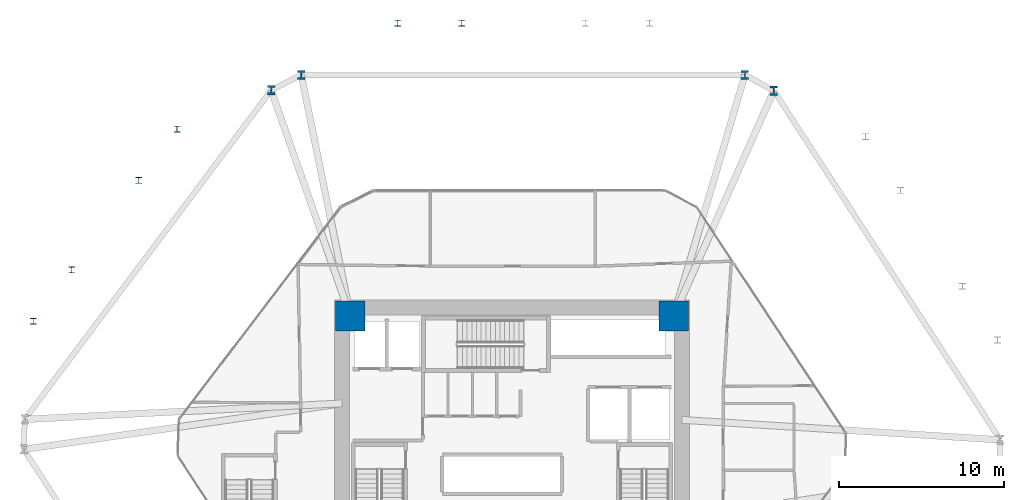
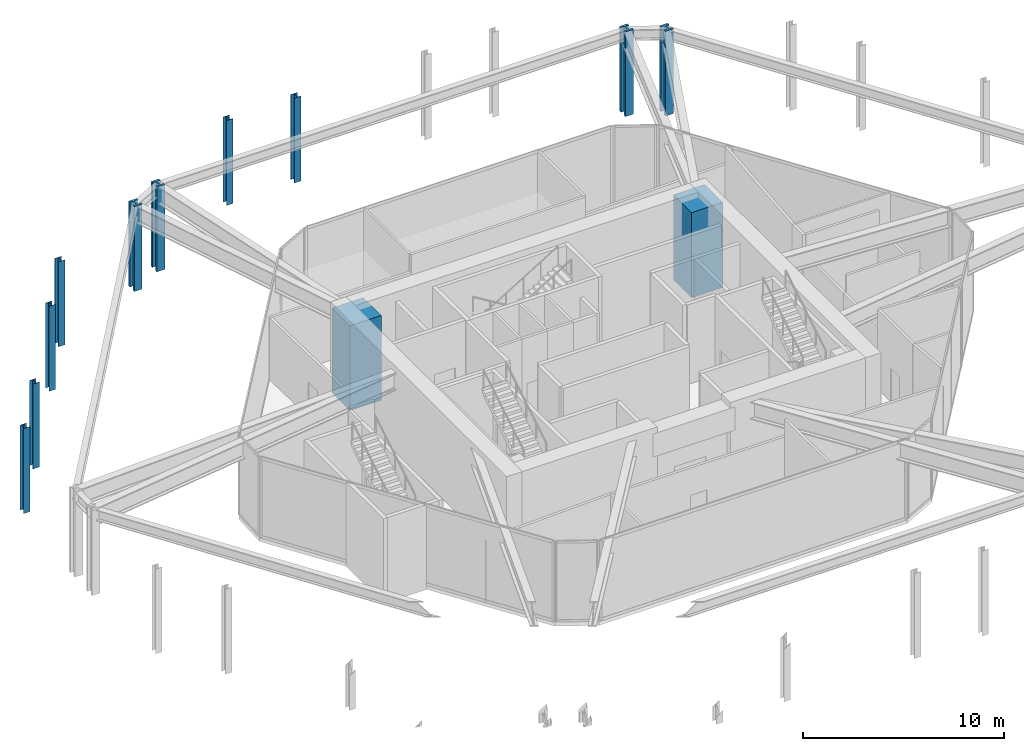
# One storey, part 3 of 16: 12 columns.
"""IFC4 building model written with IfcOpenShell, lengths in metres."""

from ifc_helpers import new_model, si_unit, direction, frame, origin, origin_2d, place, context, subcontext, project, spatial, rectangle, i_section, extrude, source, transform, mapped, material, material_profile, profile_set, type_object, type_shapes, element, save


model = new_model("IFC4")

# Units and contexts
model_context = context("Model", 3, precision=1e-05, world=origin(), true_north=direction((0.0, 1.0)))
body_context = subcontext(model_context, "Body", "Model", "MODEL_VIEW")
ifc_project = project(units=[si_unit("LENGTHUNIT", "METRE"), si_unit("AREAUNIT", "SQUARE_METRE"), si_unit("VOLUMEUNIT", "CUBIC_METRE"), si_unit("PLANEANGLEUNIT", "RADIAN"), si_unit("MASSUNIT", "GRAM", prefix="KILO")], contexts=[model_context])

# Site, building, storey
site_placement = place(None, origin())
site = spatial("IfcSite", under=ifc_project, at=site_placement, CompositionType="ELEMENT")
building_placement = place(site_placement, origin())
building = spatial("IfcBuilding", under=site, at=building_placement, Name="Durnholm Broadcast Tower", CompositionType="ELEMENT")
storey_placement = place(building_placement, frame((0.0, 0.0, 5.199951171875)))
storey = spatial("IfcBuildingStorey", under=building, at=storey_placement, Name="L01", CompositionType="ELEMENT", Elevation=5.199951171875)

# Columns
ifc_material_1 = material(Name="Concrete C70/85", Category="concrete")
ifc_material_profile_1 = material_profile(ifc_material_1, rectangle(XDim=1.800048828125, YDim=1.800048828125, at=origin_2d()), Name="RC1800X1800")
ifc_profile_set_1 = profile_set([ifc_material_profile_1], Name="Concrete C70/85")
column_type_1 = type_object("IfcColumnType", Name="COL-CC-1800", PredefinedType="COLUMN", material=ifc_profile_set_1)
shared_shape_1 = source(origin(), body_context, "Body", "SweptSolid", [
    extrude(rectangle(XDim=1.800048828125, YDim=1.800048828125, at=origin_2d()), origin(), (0.0, 0.0, 1.0), 5.150146484375),
])
type_shapes(column_type_1, [shared_shape_1])
for number, where, z_axis, x_axis, name in (
    (1, (9.800048828125, 7.800048828125, -0.300048828125), (0.0, 0.0, 1.0), (1.0, 0.0, 0.0), "L01 core corner column 3"),
    (2, (-9.800048828125, 7.800048828125, -0.300048828125), (0.0, 0.0, 1.0), (1.0, 0.0, 0.0), "L01 core corner column 4"),
):
    element("IfcColumn", number, at=place(storey_placement, frame(where, z_axis=z_axis, x_axis=x_axis)), inside=storey, type_object=column_type_1, Name=name, PredefinedType="COLUMN", context=body_context, shape_type="MappedRepresentation", body=[
        mapped(shared_shape_1, transform((0.0, 0.0, 0.0), x_axis=(1.0, 0.0, 0.0), y_axis=(0.0, 1.0, 0.0), z_axis=(0.0, 0.0, 1.0), scale=1.0)),
    ])
ifc_material_2 = material(Name="Steel ASTM A913 Grade 65", Category="steel")
ifc_material_profile_2 = material_profile(ifc_material_2, i_section(OverallWidth=0.454345703125, OverallDepth=0.569091796875, WebThickness=0.077880859375, FlangeThickness=0.124755859375, FilletRadius=0.030517578125, at=origin_2d()), Name="W14X730")
ifc_profile_set_2 = profile_set([ifc_material_profile_2], Name="Steel ASTM A913 Grade 65")
column_type_2 = type_object("IfcColumnType", Name="STL-SC-W14X730", PredefinedType="COLUMN", material=ifc_profile_set_2)
shared_shape_2 = source(origin(), body_context, "Body", "SweptSolid", [
    extrude(i_section(OverallWidth=0.454345703125, OverallDepth=0.569091796875, WebThickness=0.077880859375, FlangeThickness=0.124755859375, FilletRadius=0.030517578125, at=origin_2d()), origin(), (0.0, 0.0, 1.0), 5.150146484375),
])
type_shapes(column_type_2, [shared_shape_2])
for number, where, z_axis, x_axis, name in (
    (3, (-14.594482421875, 21.487548828125, -0.300048828125), (0.0, 0.0, 1.0), (1.0, 0.0, 0.0), "L01 perimeter hexagonal tube column 04"),
    (4, (-12.77197265625, 22.39990234375, -0.300048828125), (0.0, 0.0, 1.0), (1.0, 0.0, 0.0), "L01 perimeter hexagonal tube column 05"),
    (5, (14.119384765625, 22.39990234375, -0.300048828125), (0.0, 0.0, 1.0), (1.0, 0.0, 0.0), "L01 perimeter hexagonal tube column 06"),
    (6, (15.866455078125, 21.45068359375, -0.300048828125), (0.0, 0.0, 1.0), (1.0, 0.0, 0.0), "L01 perimeter hexagonal tube column 07"),
):
    element("IfcColumn", number, at=place(storey_placement, frame(where, z_axis=z_axis, x_axis=x_axis)), inside=storey, type_object=column_type_2, Name=name, PredefinedType="COLUMN", context=body_context, shape_type="MappedRepresentation", body=[
        mapped(shared_shape_2, transform((0.0, 0.0, 0.0), x_axis=(1.0, 0.0, 0.0), y_axis=(0.0, 1.0, 0.0), z_axis=(0.0, 0.0, 1.0), scale=1.0)),
    ])
ifc_material_3 = material(Name="Steel ASTM A992 Grade 50", Category="steel")
ifc_material_profile_3 = material_profile(ifc_material_3, i_section(OverallWidth=0.37255859375, OverallDepth=0.367919921875, WebThickness=0.014892578125, FlangeThickness=0.02392578125, FilletRadius=0.030517578125, at=origin_2d()), Name="W14X120")
ifc_profile_set_3 = profile_set([ifc_material_profile_3], Name="Steel ASTM A992 Grade 50")
column_type_3 = type_object("IfcColumnType", Name="STL-SC-W14X120", PredefinedType="COLUMN", material=ifc_profile_set_3)
shared_shape_3 = source(origin(), body_context, "Body", "SweptSolid", [
    extrude(i_section(OverallWidth=0.37255859375, OverallDepth=0.367919921875, WebThickness=0.014892578125, FlangeThickness=0.02392578125, FilletRadius=0.030517578125, at=origin_2d()), origin(), (0.0, 0.0, 1.0), 5.150146484375),
])
type_shapes(column_type_3, [shared_shape_3])
for number, where, z_axis, x_axis, name in (
    (7, (-3.041259765625, 25.550048828125, -0.300048828125), (0.0, 0.0, 1.0), (1.0, 0.0, 0.0), "L01 stand-off exoskeleton pilotis column F4.3"),
    (8, (-6.9296875, 25.550048828125, -0.300048828125), (0.0, 0.0, 1.0), (1.0, 0.0, 0.0), "L01 stand-off exoskeleton pilotis column F4.4"),
    (9, (-20.2978515625, 19.123779296875, -0.300048828125), (0.0, 0.0, 1.0), (1.0, 0.0, 0.0), "L01 stand-off exoskeleton pilotis column F5.1"),
    (10, (-22.62744140625, 16.0107421875, -0.300048828125), (0.0, 0.0, 1.0), (1.0, 0.0, 0.0), "L01 stand-off exoskeleton pilotis column F5.2"),
    (11, (-26.6875, 10.585693359375, -0.300048828125), (0.0, 0.0, 1.0), (1.0, 0.0, 0.0), "L01 stand-off exoskeleton pilotis column F5.3"),
    (12, (-29.01708984375, 7.472412109375, -0.300048828125), (0.0, 0.0, 1.0), (1.0, 0.0, 0.0), "L01 stand-off exoskeleton pilotis column F5.4"),
):
    element("IfcColumn", number, at=place(storey_placement, frame(where, z_axis=z_axis, x_axis=x_axis)), inside=storey, type_object=column_type_3, Name=name, PredefinedType="COLUMN", context=body_context, shape_type="MappedRepresentation", body=[
        mapped(shared_shape_3, transform((0.0, 0.0, 0.0), x_axis=(1.0, 0.0, 0.0), y_axis=(0.0, 1.0, 0.0), z_axis=(0.0, 0.0, 1.0), scale=1.0)),
    ])

save(model, "model.ifc")
